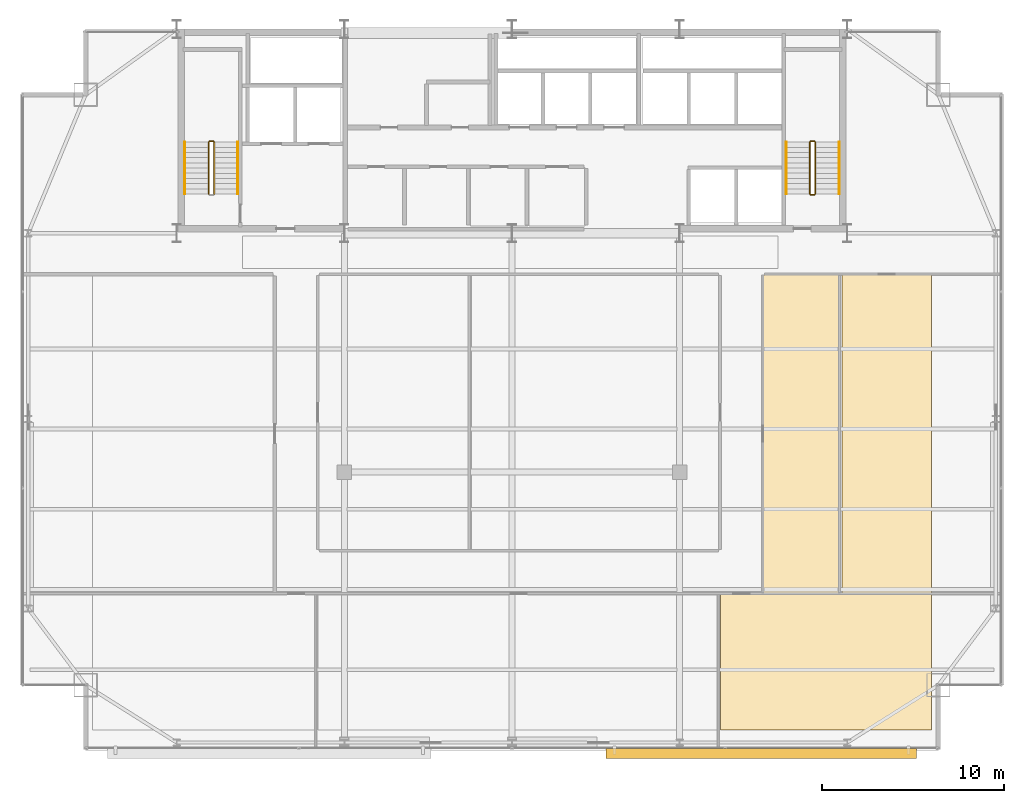
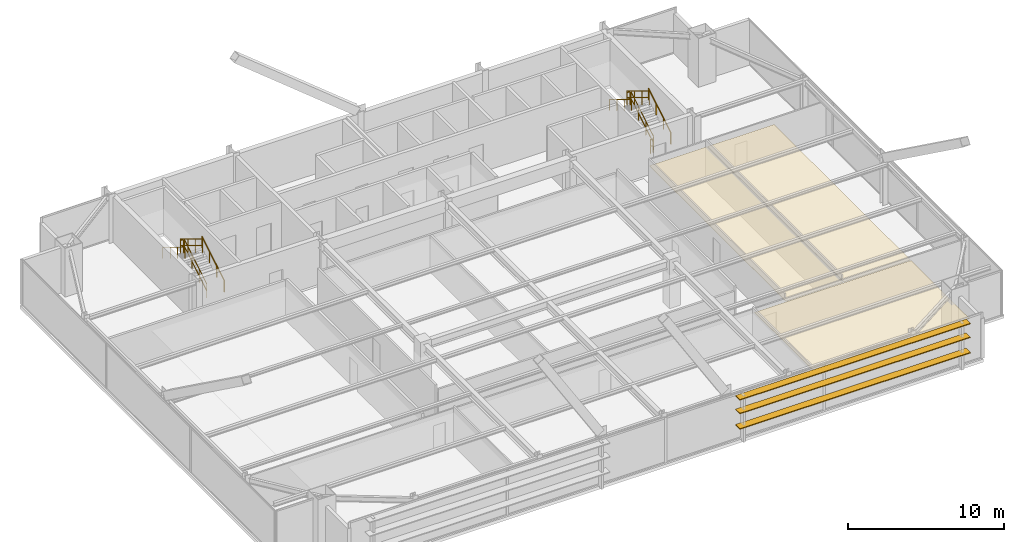
# One storey, part 30 of 30: 11 railings, 3 coverings, 3 shading devices.
"""IFC4 building model written with IfcOpenShell, lengths in metres."""

from ifc_helpers import new_model, si_unit, direction, frame, origin, origin_2d, place, context, subcontext, project, spatial, polyline, rectangle, outline, extrude, source, transform, mapped, material, layer, layer_set, type_object, type_shapes, element, save


model = new_model("IFC4")

# Units and contexts
model_context = context("Model", 3, precision=1e-05, world=origin(), true_north=direction((0.0, 1.0)))
body_context = subcontext(model_context, "Body", "Model", "MODEL_VIEW")
ifc_project = project(units=[si_unit("LENGTHUNIT", "METRE"), si_unit("AREAUNIT", "SQUARE_METRE"), si_unit("VOLUMEUNIT", "CUBIC_METRE"), si_unit("PLANEANGLEUNIT", "RADIAN"), si_unit("MASSUNIT", "GRAM", prefix="KILO")], contexts=[model_context])

# Site, building, storey
site_placement = place(None, origin())
site = spatial("IfcSite", under=ifc_project, at=site_placement, CompositionType="ELEMENT")
building_placement = place(site_placement, origin())
building = spatial("IfcBuilding", under=site, at=building_placement, Name="Varnel Quay Broadcast Tower", CompositionType="ELEMENT")
storey_placement = place(building_placement, frame((0.0, 0.0, 149.60009765625)))
storey = spatial("IfcBuildingStorey", under=building, at=storey_placement, Name="L36", CompositionType="ELEMENT", Elevation=149.60009765625)

# Coverings
ifc_material_1 = material(Name="Micro-Perforated Acoustic Ceiling Tile")
ifc_layer_1 = layer(ifc_material_1, 0.0400390625, Name="Micro-Perforated Acoustic Ceiling Tile")
ifc_layer_set_1 = layer_set([ifc_layer_1], Name="Micro-Perforated Acoustic Ceiling Tile")
covering_type = type_object("IfcCoveringType", Name="Cov_AcousticCeiling", PredefinedType="CEILING", material=ifc_layer_set_1)
covering_1_placement = place(storey_placement, frame((0.0, 0.0, 2.579833984375)))
element("IfcCovering", 1, at=covering_1_placement, inside=storey, type_object=covering_type, Name="L36 Color Timing Suite 3 Acoustic Ceiling", PredefinedType="CEILING", context=body_context, shape_type="SweptSolid", body=[
    extrude(outline(polyline([(45.455078125, 8.324951171875), (57.014892578125, 8.324951171875), (57.014892578125, 15.784912109375), (45.455078125, 15.784912109375), (45.455078125, 8.324951171875)])), origin(), (0.0, 0.0, 1.0), 0.0400390625),
])
covering_2_placement = place(storey_placement, frame((0.0, 0.0, 2.579833984375)))
element("IfcCovering", 2, at=covering_2_placement, inside=storey, type_object=covering_type, Name="L36 Media Tape Archive Store 7 Acoustic Ceiling", PredefinedType="CEILING", context=body_context, shape_type="SweptSolid", body=[
    extrude(outline(polyline([(47.804931640625, 15.85498046875), (52.034912109375, 15.85498046875), (52.034912109375, 33.31494140625), (47.804931640625, 33.31494140625), (47.804931640625, 15.85498046875)])), origin(), (0.0, 0.0, 1.0), 0.0400390625),
])
covering_3_placement = place(storey_placement, frame((0.0, 0.0, 2.579833984375)))
element("IfcCovering", 3, at=covering_3_placement, inside=storey, type_object=covering_type, Name="L36 Lens & Rigging Store 8 Acoustic Ceiling", PredefinedType="CEILING", context=body_context, shape_type="SweptSolid", body=[
    extrude(outline(polyline([(52.10498046875, 15.85498046875), (57.014892578125, 15.85498046875), (57.014892578125, 33.31494140625), (52.10498046875, 33.31494140625), (52.10498046875, 15.85498046875)])), origin(), (0.0, 0.0, 1.0), 0.0400390625),
])

# Railings
ifc_material_2 = material(Name="Painted Steel Guard and Handrail CSA G40.21 350W", Category="steel")
railing_type_1 = type_object("IfcRailingType", Name="Rail_StairGuard1100", PredefinedType="GUARDRAIL", material=ifc_material_2)
railing_1_placement = place(storey_placement, frame((17.64990234375, 37.75, 0.172607421875)))
element("IfcRailing", 4, at=railing_1_placement, inside=storey, type_object=railing_type_1, Name="L36 ST-01 stair guard 1", PredefinedType="GUARDRAIL", context=body_context, shape_type="SweptSolid", body=[
    extrude(rectangle(XDim=0.048095703125, YDim=0.048095703125, at=origin_2d()), frame((0.0, 0.0, 1.076171875), z_axis=(0.0, 0.855202751398, 0.518293598264), x_axis=(-1.0, 0.0, 0.0)), (0.0, 0.0, 1.0), 3.332763671875),
    extrude(rectangle(XDim=0.048095703125, YDim=0.048095703125, at=origin_2d()), frame((0.0, 0.0, 0.550048828125), z_axis=(0.0, 0.855202751398, 0.518293598264), x_axis=(-1.0, 0.0, 0.0)), (0.0, 0.0, 1.0), 3.332763671875),
    extrude(rectangle(XDim=0.0419921875, YDim=0.0419921875, at=origin_2d()), origin(), (0.0, 0.0, 1.0), 1.052001953125),
    extrude(rectangle(XDim=0.0419921875, YDim=0.0419921875, at=origin_2d()), frame((0.0, 0.949951171875, 0.57568359375)), (0.0, 0.0, 1.0), 1.052001953125),
    extrude(rectangle(XDim=0.0419921875, YDim=0.0419921875, at=origin_2d()), frame((0.0, 1.900146484375, 1.151611328125)), (0.0, 0.0, 1.0), 1.052001953125),
    extrude(rectangle(XDim=0.0419921875, YDim=0.0419921875, at=origin_2d()), frame((0.0, 2.85009765625, 1.727294921875)), (0.0, 0.0, 1.0), 1.052001953125),
])
railing_2_placement = place(storey_placement, frame((17.60009765625, 40.64990234375, 1.89990234375)))
element("IfcRailing", 5, at=railing_2_placement, inside=storey, type_object=railing_type_1, Name="L36 ST-01 stair guard 2", PredefinedType="GUARDRAIL", context=body_context, shape_type="SweptSolid", body=[
    extrude(rectangle(XDim=0.048095703125, YDim=0.048095703125, at=origin_2d()), frame((0.0, 0.0, 1.076171875), z_axis=(-1.0, 0.0, 0.0), x_axis=(0.0, -1.0, 0.0)), (0.0, 0.0, 1.0), 0.2001953125),
    extrude(rectangle(XDim=0.048095703125, YDim=0.048095703125, at=origin_2d()), frame((0.0, 0.0, 0.550048828125), z_axis=(-1.0, 0.0, 0.0), x_axis=(0.0, -1.0, 0.0)), (0.0, 0.0, 1.0), 0.2001953125),
    extrude(rectangle(XDim=0.0419921875, YDim=0.0419921875, at=origin_2d()), origin(), (0.0, 0.0, 1.0), 1.052001953125),
    extrude(rectangle(XDim=0.0419921875, YDim=0.0419921875, at=origin_2d()), frame((-0.2001953125, 0.0, 0.0)), (0.0, 0.0, 1.0), 1.052001953125),
])
railing_3_placement = place(storey_placement, frame((17.35009765625, 40.60009765625, 2.072509765625)))
element("IfcRailing", 6, at=railing_3_placement, inside=storey, type_object=railing_type_1, Name="L36 ST-01 stair guard 3", PredefinedType="GUARDRAIL", context=body_context, shape_type="SweptSolid", body=[
    extrude(rectangle(XDim=0.048095703125, YDim=0.048095703125, at=origin_2d()), frame((0.0, 0.0, 1.076171875), z_axis=(0.0, -0.855202751398, 0.518293598264), x_axis=(1.0, 0.0, 0.0)), (0.0, 0.0, 1.0), 3.332763671875),
    extrude(rectangle(XDim=0.048095703125, YDim=0.048095703125, at=origin_2d()), frame((0.0, 0.0, 0.550048828125), z_axis=(0.0, -0.855202751398, 0.518293598264), x_axis=(1.0, 0.0, 0.0)), (0.0, 0.0, 1.0), 3.332763671875),
    extrude(rectangle(XDim=0.0419921875, YDim=0.0419921875, at=origin_2d()), origin(), (0.0, 0.0, 1.0), 1.052001953125),
    extrude(rectangle(XDim=0.0419921875, YDim=0.0419921875, at=origin_2d()), frame((0.0, -0.949951171875, 0.57568359375)), (0.0, 0.0, 1.0), 1.052001953125),
    extrude(rectangle(XDim=0.0419921875, YDim=0.0419921875, at=origin_2d()), frame((0.0, -1.900146484375, 1.151611328125)), (0.0, 0.0, 1.0), 1.052001953125),
    extrude(rectangle(XDim=0.0419921875, YDim=0.0419921875, at=origin_2d()), frame((0.0, -2.85009765625, 1.727294921875)), (0.0, 0.0, 1.0), 1.052001953125),
])
railing_4_placement = place(storey_placement, frame((50.64990234375, 37.75, 0.172607421875)))
element("IfcRailing", 7, at=railing_4_placement, inside=storey, type_object=railing_type_1, Name="L36 ST-02 stair guard 1", PredefinedType="GUARDRAIL", context=body_context, shape_type="SweptSolid", body=[
    extrude(rectangle(XDim=0.048095703125, YDim=0.048095703125, at=origin_2d()), frame((0.0, 0.0, 1.076171875), z_axis=(0.0, 0.855202751398, 0.518293598264), x_axis=(-1.0, 0.0, 0.0)), (0.0, 0.0, 1.0), 3.332763671875),
    extrude(rectangle(XDim=0.048095703125, YDim=0.048095703125, at=origin_2d()), frame((0.0, 0.0, 0.550048828125), z_axis=(0.0, 0.855202751398, 0.518293598264), x_axis=(-1.0, 0.0, 0.0)), (0.0, 0.0, 1.0), 3.332763671875),
    extrude(rectangle(XDim=0.0419921875, YDim=0.0419921875, at=origin_2d()), origin(), (0.0, 0.0, 1.0), 1.052001953125),
    extrude(rectangle(XDim=0.0419921875, YDim=0.0419921875, at=origin_2d()), frame((0.0, 0.949951171875, 0.57568359375)), (0.0, 0.0, 1.0), 1.052001953125),
    extrude(rectangle(XDim=0.0419921875, YDim=0.0419921875, at=origin_2d()), frame((0.0, 1.900146484375, 1.151611328125)), (0.0, 0.0, 1.0), 1.052001953125),
    extrude(rectangle(XDim=0.0419921875, YDim=0.0419921875, at=origin_2d()), frame((0.0, 2.85009765625, 1.727294921875)), (0.0, 0.0, 1.0), 1.052001953125),
])
railing_5_placement = place(storey_placement, frame((50.60009765625, 40.64990234375, 1.89990234375)))
element("IfcRailing", 8, at=railing_5_placement, inside=storey, type_object=railing_type_1, Name="L36 ST-02 stair guard 2", PredefinedType="GUARDRAIL", context=body_context, shape_type="SweptSolid", body=[
    extrude(rectangle(XDim=0.048095703125, YDim=0.048095703125, at=origin_2d()), frame((0.0, 0.0, 1.076171875), z_axis=(-1.0, 0.0, 0.0), x_axis=(0.0, -1.0, 0.0)), (0.0, 0.0, 1.0), 0.2001953125),
    extrude(rectangle(XDim=0.048095703125, YDim=0.048095703125, at=origin_2d()), frame((0.0, 0.0, 0.550048828125), z_axis=(-1.0, 0.0, 0.0), x_axis=(0.0, -1.0, 0.0)), (0.0, 0.0, 1.0), 0.2001953125),
    extrude(rectangle(XDim=0.0419921875, YDim=0.0419921875, at=origin_2d()), origin(), (0.0, 0.0, 1.0), 1.052001953125),
    extrude(rectangle(XDim=0.0419921875, YDim=0.0419921875, at=origin_2d()), frame((-0.2001953125, 0.0, 0.0)), (0.0, 0.0, 1.0), 1.052001953125),
])
railing_6_placement = place(storey_placement, frame((50.35009765625, 40.60009765625, 2.072509765625)))
element("IfcRailing", 9, at=railing_6_placement, inside=storey, type_object=railing_type_1, Name="L36 ST-02 stair guard 3", PredefinedType="GUARDRAIL", context=body_context, shape_type="SweptSolid", body=[
    extrude(rectangle(XDim=0.048095703125, YDim=0.048095703125, at=origin_2d()), frame((0.0, 0.0, 1.076171875), z_axis=(0.0, -0.855202751398, 0.518293598264), x_axis=(1.0, 0.0, 0.0)), (0.0, 0.0, 1.0), 3.332763671875),
    extrude(rectangle(XDim=0.048095703125, YDim=0.048095703125, at=origin_2d()), frame((0.0, 0.0, 0.550048828125), z_axis=(0.0, -0.855202751398, 0.518293598264), x_axis=(1.0, 0.0, 0.0)), (0.0, 0.0, 1.0), 3.332763671875),
    extrude(rectangle(XDim=0.0419921875, YDim=0.0419921875, at=origin_2d()), origin(), (0.0, 0.0, 1.0), 1.052001953125),
    extrude(rectangle(XDim=0.0419921875, YDim=0.0419921875, at=origin_2d()), frame((0.0, -0.949951171875, 0.57568359375)), (0.0, 0.0, 1.0), 1.052001953125),
    extrude(rectangle(XDim=0.0419921875, YDim=0.0419921875, at=origin_2d()), frame((0.0, -1.900146484375, 1.151611328125)), (0.0, 0.0, 1.0), 1.052001953125),
    extrude(rectangle(XDim=0.0419921875, YDim=0.0419921875, at=origin_2d()), frame((0.0, -2.85009765625, 1.727294921875)), (0.0, 0.0, 1.0), 1.052001953125),
])
railing_7_placement = place(storey_placement, frame((50.60009765625, 37.699951171875, 0.0)))
element("IfcRailing", 10, at=railing_7_placement, inside=storey, type_object=railing_type_1, Name="L36 ST-02 stair guard 4", PredefinedType="GUARDRAIL", context=body_context, shape_type="SweptSolid", body=[
    extrude(rectangle(XDim=0.048095703125, YDim=0.048095703125, at=origin_2d()), frame((0.0, 0.0, 1.076171875), z_axis=(-1.0, 0.0, 0.0), x_axis=(0.0, -1.0, 0.0)), (0.0, 0.0, 1.0), 0.2001953125),
    extrude(rectangle(XDim=0.048095703125, YDim=0.048095703125, at=origin_2d()), frame((0.0, 0.0, 0.550048828125), z_axis=(-1.0, 0.0, 0.0), x_axis=(0.0, -1.0, 0.0)), (0.0, 0.0, 1.0), 0.2001953125),
    extrude(rectangle(XDim=0.0419921875, YDim=0.0419921875, at=origin_2d()), origin(), (0.0, 0.0, 1.0), 1.052001953125),
    extrude(rectangle(XDim=0.0419921875, YDim=0.0419921875, at=origin_2d()), frame((-0.2001953125, 0.0, 0.0)), (0.0, 0.0, 1.0), 1.052001953125),
])
railing_type_2 = type_object("IfcRailingType", Name="Rail_StairHandrail900", PredefinedType="HANDRAIL", material=ifc_material_2)
railing_8_placement = place(storey_placement, frame((18.949951171875, 37.75, 0.172607421875)))
element("IfcRailing", 11, at=railing_8_placement, inside=storey, type_object=railing_type_2, Name="L36 ST-01 stair handrail 1", PredefinedType="HANDRAIL", context=body_context, shape_type="SweptSolid", body=[
    extrude(rectangle(XDim=0.048095703125, YDim=0.048095703125, at=origin_2d()), frame((0.0, 0.0, 0.8759765625), z_axis=(0.0, 0.855202751398, 0.518293598264), x_axis=(-1.0, 0.0, 0.0)), (0.0, 0.0, 1.0), 3.332763671875),
    extrude(rectangle(XDim=0.0419921875, YDim=0.0419921875, at=origin_2d()), origin(), (0.0, 0.0, 1.0), 0.851806640625),
    extrude(rectangle(XDim=0.0419921875, YDim=0.0419921875, at=origin_2d()), frame((0.0, 0.949951171875, 0.57568359375)), (0.0, 0.0, 1.0), 0.851806640625),
    extrude(rectangle(XDim=0.0419921875, YDim=0.0419921875, at=origin_2d()), frame((0.0, 1.900146484375, 1.151611328125)), (0.0, 0.0, 1.0), 0.851806640625),
    extrude(rectangle(XDim=0.0419921875, YDim=0.0419921875, at=origin_2d()), frame((0.0, 2.85009765625, 1.727294921875)), (0.0, 0.0, 1.0), 0.851806640625),
])
railing_9_placement = place(storey_placement, frame((16.050048828125, 40.60009765625, 2.072509765625)))
element("IfcRailing", 12, at=railing_9_placement, inside=storey, type_object=railing_type_2, Name="L36 ST-01 stair handrail 2", PredefinedType="HANDRAIL", context=body_context, shape_type="SweptSolid", body=[
    extrude(rectangle(XDim=0.048095703125, YDim=0.048095703125, at=origin_2d()), frame((0.0, 0.0, 0.8759765625), z_axis=(0.0, -0.855202751398, 0.518293598264), x_axis=(1.0, 0.0, 0.0)), (0.0, 0.0, 1.0), 3.332763671875),
    extrude(rectangle(XDim=0.0419921875, YDim=0.0419921875, at=origin_2d()), origin(), (0.0, 0.0, 1.0), 0.851806640625),
    extrude(rectangle(XDim=0.0419921875, YDim=0.0419921875, at=origin_2d()), frame((0.0, -0.949951171875, 0.57568359375)), (0.0, 0.0, 1.0), 0.851806640625),
    extrude(rectangle(XDim=0.0419921875, YDim=0.0419921875, at=origin_2d()), frame((0.0, -1.900146484375, 1.151611328125)), (0.0, 0.0, 1.0), 0.851806640625),
    extrude(rectangle(XDim=0.0419921875, YDim=0.0419921875, at=origin_2d()), frame((0.0, -2.85009765625, 1.727294921875)), (0.0, 0.0, 1.0), 0.851806640625),
])
railing_10_placement = place(storey_placement, frame((51.949951171875, 37.75, 0.172607421875)))
element("IfcRailing", 13, at=railing_10_placement, inside=storey, type_object=railing_type_2, Name="L36 ST-02 stair handrail 1", PredefinedType="HANDRAIL", context=body_context, shape_type="SweptSolid", body=[
    extrude(rectangle(XDim=0.048095703125, YDim=0.048095703125, at=origin_2d()), frame((0.0, 0.0, 0.8759765625), z_axis=(0.0, 0.855202751398, 0.518293598264), x_axis=(-1.0, 0.0, 0.0)), (0.0, 0.0, 1.0), 3.332763671875),
    extrude(rectangle(XDim=0.0419921875, YDim=0.0419921875, at=origin_2d()), origin(), (0.0, 0.0, 1.0), 0.851806640625),
    extrude(rectangle(XDim=0.0419921875, YDim=0.0419921875, at=origin_2d()), frame((0.0, 0.949951171875, 0.57568359375)), (0.0, 0.0, 1.0), 0.851806640625),
    extrude(rectangle(XDim=0.0419921875, YDim=0.0419921875, at=origin_2d()), frame((0.0, 1.900146484375, 1.151611328125)), (0.0, 0.0, 1.0), 0.851806640625),
    extrude(rectangle(XDim=0.0419921875, YDim=0.0419921875, at=origin_2d()), frame((0.0, 2.85009765625, 1.727294921875)), (0.0, 0.0, 1.0), 0.851806640625),
])
railing_11_placement = place(storey_placement, frame((49.050048828125, 40.60009765625, 2.072509765625)))
element("IfcRailing", 14, at=railing_11_placement, inside=storey, type_object=railing_type_2, Name="L36 ST-02 stair handrail 2", PredefinedType="HANDRAIL", context=body_context, shape_type="SweptSolid", body=[
    extrude(rectangle(XDim=0.048095703125, YDim=0.048095703125, at=origin_2d()), frame((0.0, 0.0, 0.8759765625), z_axis=(0.0, -0.855202751398, 0.518293598264), x_axis=(1.0, 0.0, 0.0)), (0.0, 0.0, 1.0), 3.332763671875),
    extrude(rectangle(XDim=0.0419921875, YDim=0.0419921875, at=origin_2d()), origin(), (0.0, 0.0, 1.0), 0.851806640625),
    extrude(rectangle(XDim=0.0419921875, YDim=0.0419921875, at=origin_2d()), frame((0.0, -0.949951171875, 0.57568359375)), (0.0, 0.0, 1.0), 0.851806640625),
    extrude(rectangle(XDim=0.0419921875, YDim=0.0419921875, at=origin_2d()), frame((0.0, -1.900146484375, 1.151611328125)), (0.0, 0.0, 1.0), 0.851806640625),
    extrude(rectangle(XDim=0.0419921875, YDim=0.0419921875, at=origin_2d()), frame((0.0, -2.85009765625, 1.727294921875)), (0.0, 0.0, 1.0), 0.851806640625),
])

# Shading devices
ifc_material_3 = material(Name="Bronze-Terracotta Extruded Ceramic Blade", Category="masonry")
ifc_layer_2 = layer(ifc_material_3, 0.06494140625, Name="Bronze-Terracotta Extruded Ceramic Blade")
ifc_layer_set_2 = layer_set([ifc_layer_2], Name="Bronze-Terracotta Extruded Ceramic Blade")
shading_device_type = type_object("IfcShadingDeviceType", Name="Shade_LouvreBlade550", PredefinedType="JALOUSIE", material=ifc_layer_set_2)
shared_shape = source(origin(), body_context, "Body", "SweptSolid", [
    extrude(rectangle(XDim=17.033935546875, YDim=0.550048828125, at=origin_2d()), origin(), (0.0, 0.0, 1.0), 0.06494140625),
])
type_shapes(shading_device_type, [shared_shape])
for number, where, z_axis, x_axis, name in (
    (15, (47.68310546875, 7.06005859375, 1.117431640625), (0.0, 0.0, 1.0), (1.0, 0.0, 0.0), "L36 Lobe 2 Horizontal Louvre Blade 1"),
    (16, (47.68310546875, 7.06005859375, 2.3173828125), (0.0, 0.0, 1.0), (1.0, 0.0, 0.0), "L36 Lobe 2 Horizontal Louvre Blade 2"),
    (17, (47.68310546875, 7.06005859375, 3.387451171875), (0.0, 0.0, 1.0), (1.0, 0.0, 0.0), "L36 Lobe 2 Horizontal Louvre Blade 3"),
):
    element("IfcShadingDevice", number, at=place(storey_placement, frame(where, z_axis=z_axis, x_axis=x_axis)), inside=storey, type_object=shading_device_type, Name=name, PredefinedType="JALOUSIE", context=body_context, shape_type="MappedRepresentation", body=[
        mapped(shared_shape, transform((0.0, 0.0, 0.0), x_axis=(1.0, 0.0, 0.0), y_axis=(0.0, 1.0, 0.0), z_axis=(0.0, 0.0, 1.0), scale=1.0)),
    ])

save(model, "model.ifc")
